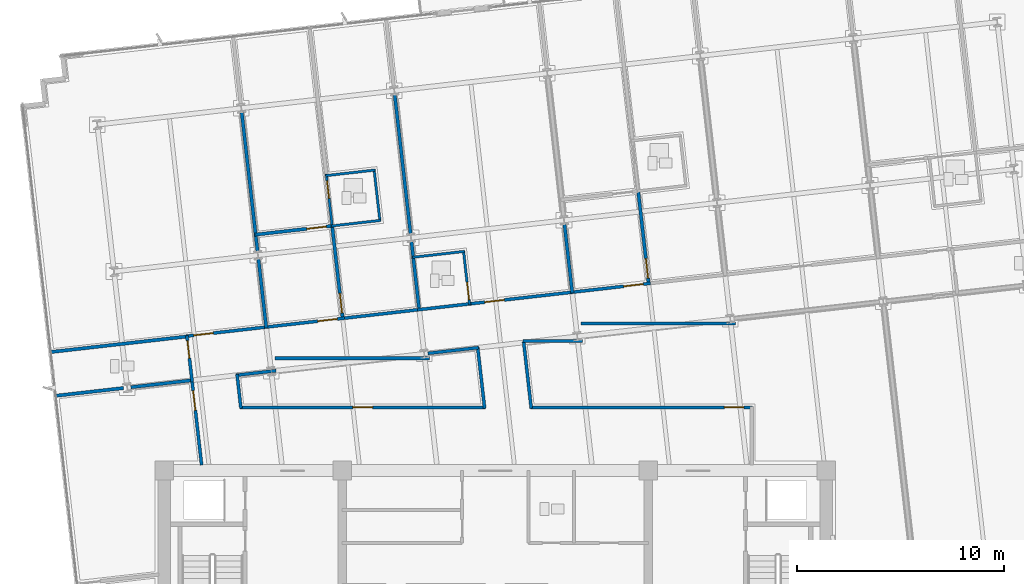
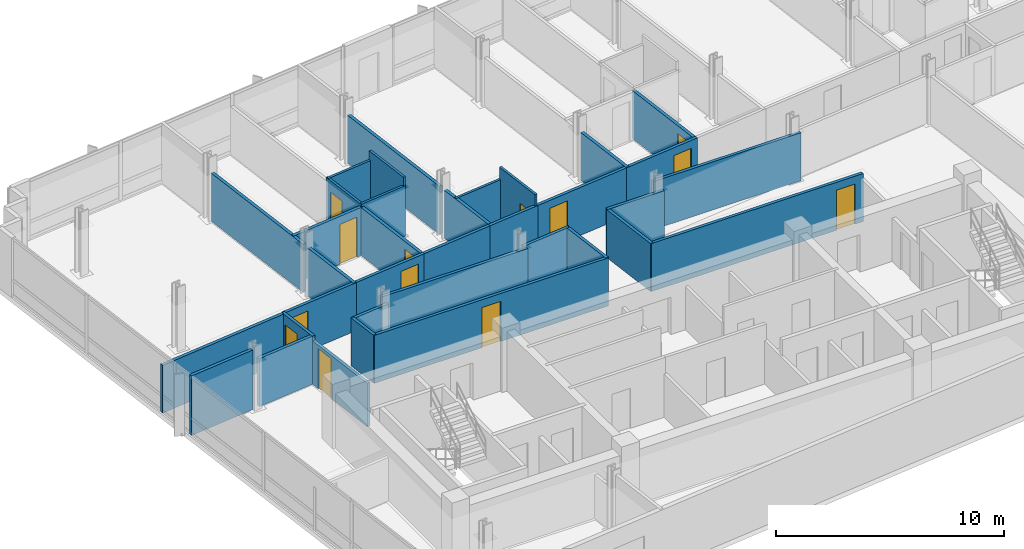
# One storey, part 9 of 16: 35 walls, 13 doors, 13 openings.
"""IFC4 building model written with IfcOpenShell, lengths in metres."""

from ifc_helpers import new_model, si_unit, direction, frame, frame_2d, origin, place, context, subcontext, project, spatial, rectangle, extrude, material, layer, layer_set, type_object, element, fill, save


model = new_model("IFC4")

# Units and contexts
model_context = context("Model", 3, precision=1e-05, world=origin(), true_north=direction((0.0, 1.0)))
body_context = subcontext(model_context, "Body", "Model", "MODEL_VIEW")
ifc_project = project(units=[si_unit("LENGTHUNIT", "METRE"), si_unit("AREAUNIT", "SQUARE_METRE"), si_unit("VOLUMEUNIT", "CUBIC_METRE"), si_unit("PLANEANGLEUNIT", "RADIAN"), si_unit("MASSUNIT", "GRAM", prefix="KILO")], contexts=[model_context])

# Site, building, storey
site_placement = place(None, origin())
site = spatial("IfcSite", under=ifc_project, at=site_placement, CompositionType="ELEMENT")
building_placement = place(site_placement, origin())
building = spatial("IfcBuilding", under=site, at=building_placement, Name="Solmavex Isthmus Hotel", CompositionType="ELEMENT")
storey_placement = place(building_placement, frame((0.0, 0.0, 212.39990234375)))
storey = spatial("IfcBuildingStorey", under=building, at=storey_placement, Name="L57", CompositionType="ELEMENT", Elevation=212.39990234375)

# Walls
ifc_material_1 = material(Name="Gypsum plasterboard lining", Category="gypsum")
ifc_layer_1 = layer(ifc_material_1, 0.159912109375)
ifc_layer_set_1 = layer_set([ifc_layer_1], Name="Gypsum plasterboard lining")
wall_type_1 = type_object("IfcWallType", Name="IW-COMP-160", PredefinedType="PARTITIONING", material=ifc_layer_set_1)
wall_1_placement = place(storey_placement, frame((-12.262939453125, 14.84326171875, 0.0), z_axis=(0.0, 0.0, 1.0), x_axis=(0.113177968069, -0.993574731736, 0.0)))
element("IfcWall", 1, at=wall_1_placement, inside=storey, type_object=wall_type_1, Name="Interior Partition Wall W-L57-P026", PredefinedType="PARTITIONING", context=body_context, shape_type="SweptSolid", body=[
    extrude(rectangle(XDim=6.79931640625, YDim=0.159912109375, at=frame_2d((3.399658203125, 0.0))), origin(), (0.0, 0.0, 1.0), 2.572509765625),
])
wall_2_placement = place(storey_placement, frame((-11.453369140625, 7.737060546875, 0.0), z_axis=(0.0, 0.0, 1.0), x_axis=(0.113229088195, -0.993568907317, 0.0)))
element("IfcWall", 2, at=wall_2_placement, inside=storey, type_object=wall_type_1, Name="Interior Partition Wall W-L57-P027", PredefinedType="PARTITIONING", context=body_context, shape_type="SweptSolid", body=[
    extrude(rectangle(XDim=3.361572265625, YDim=0.159912109375, at=frame_2d((1.6806640625, 0.0))), origin(), (0.0, 0.0, 1.0), 2.572509765625),
])
wall_3_placement = place(storey_placement, frame((-14.86865234375, 3.98486328125, 0.0), z_axis=(0.0, 0.0, 1.0), x_axis=(-0.993568743641, -0.113230524415, 0.0)))
element("IfcWall", 3, at=wall_3_placement, inside=storey, type_object=wall_type_1, Name="Interior Partition Wall W-L57-P029", PredefinedType="PARTITIONING", context=body_context, shape_type="SweptSolid", body=[
    extrude(rectangle(XDim=6.7099609375, YDim=0.159912109375, at=frame_2d((3.35498046875, 0.0))), origin(), (0.0, 0.0, 1.0), 2.5576171875),
])

# Wall, opening, door
wall_4_placement = place(storey_placement, frame((-11.626220703125, 8.9013671875, 0.0), z_axis=(0.0, 0.0, 1.0), x_axis=(0.993567388358, 0.113242416041, 0.0)))
wall_4 = element("IfcWall", 4, at=wall_4_placement, inside=storey, type_object=wall_type_1, Name="Interior Partition Wall W-L57-P030", PredefinedType="PARTITIONING", context=body_context, shape_type="SweptSolid", body=[
    extrude(rectangle(XDim=3.802978515625, YDim=0.159912109375, at=frame_2d((1.9013671875, 0.0))), origin(), (0.0, 0.0, 1.0), 2.572509765625),
])
opening_1_placement = place(wall_4_placement, frame((2.52099609375, 0.0, 0.0)))
opening_1 = element("IfcOpeningElement", 5, at=opening_1_placement, cuts=wall_4, Name="Opening ID-C095", PredefinedType="OPENING", context=body_context, shape_type="SweptSolid", body=[
    extrude(rectangle(XDim=0.949951171875, YDim=2.14990234375, at=frame_2d((0.47509765625, 1.074951171875))), frame((0.0, 0.08984375, 0.0), z_axis=(0.0, -1.0, 0.0), x_axis=(1.0, 0.0, 0.0)), (0.0, 0.0, 1.0), 0.179931640625),
])
ifc_material_2 = material(Name="Hardwood timber", Category="wood")
door_type_1 = type_object("IfcDoorType", Name="IDR-FD60-0950", OperationType="NOTDEFINED", PredefinedType="DOOR", material=ifc_material_2)
door_1_placement = place(opening_1_placement, origin())
door_1 = element("IfcDoor", 6, at=door_1_placement, inside=storey, type_object=door_type_1, Name="Premier Hospitality Suite Master Bedroom Door L57-03", OperationType="SINGLE_SWING_LEFT", OverallHeight=2.14990234375, OverallWidth=0.949951171875, PredefinedType="DOOR", context=body_context, shape_type="SweptSolid", body=[
    extrude(rectangle(XDim=0.949951171875, YDim=2.14990234375, at=frame_2d((0.47509765625, 1.074951171875))), frame((0.0, 0.02490234375, 0.0), z_axis=(0.0, -1.0, 0.0), x_axis=(1.0, 0.0, 0.0)), (0.0, 0.0, 1.0), 0.050048828125),
])
fill(opening_1, door_1)

wall_5_placement = place(storey_placement, frame((-7.89208984375, 9.3671875, 0.0), z_axis=(0.0, 0.0, 1.0), x_axis=(0.113217200695, -0.993570261968, 0.0)))
wall_5 = element("IfcWall", 7, at=wall_5_placement, inside=storey, type_object=wall_type_1, Name="Interior Partition Wall W-L57-P031", PredefinedType="PARTITIONING", context=body_context, shape_type="SweptSolid", body=[
    extrude(rectangle(XDim=4.578125, YDim=0.159912109375, at=frame_2d((2.2890625, 0.0))), origin(), (0.0, 0.0, 1.0), 2.572509765625),
])
opening_2_placement = place(wall_5_placement, frame((3.3251953125, 0.0, 0.0)))
opening_2 = element("IfcOpeningElement", 8, at=opening_2_placement, cuts=wall_5, Name="Opening ID-C095", PredefinedType="OPENING", context=body_context, shape_type="SweptSolid", body=[
    extrude(rectangle(XDim=0.949951171875, YDim=2.14990234375, at=frame_2d((0.47509765625, 1.074951171875))), frame((0.0, 0.08984375, 0.0), z_axis=(0.0, -1.0, 0.0), x_axis=(1.0, 0.0, 0.0)), (0.0, 0.0, 1.0), 0.179931640625),
])
door_2_placement = place(opening_2_placement, origin())
door_2 = element("IfcDoor", 9, at=door_2_placement, inside=storey, type_object=door_type_1, Name="Premier Hospitality Suite Living Lounge Door L57-04", OperationType="SINGLE_SWING_RIGHT", OverallHeight=2.14990234375, OverallWidth=0.949951171875, PredefinedType="DOOR", context=body_context, shape_type="SweptSolid", body=[
    extrude(rectangle(XDim=0.949951171875, YDim=2.14990234375, at=frame_2d((0.47509765625, 1.074951171875))), frame((0.0, 0.02490234375, 0.0), z_axis=(0.0, -1.0, 0.0), x_axis=(1.0, 0.0, 0.0)), (0.0, 0.0, 1.0), 0.050048828125),
])
fill(opening_2, door_2)

# Walls
wall_6_placement = place(storey_placement, frame((-4.864990234375, 15.68603515625, 0.0), z_axis=(0.0, 0.0, 1.0), x_axis=(0.11321341463, -0.993570693382, 0.0)))
element("IfcWall", 10, at=wall_6_placement, inside=storey, type_object=wall_type_1, Name="Interior Partition Wall W-L57-P038", PredefinedType="PARTITIONING", context=body_context, shape_type="SweptSolid", body=[
    extrude(rectangle(XDim=6.79931640625, YDim=0.159912109375, at=frame_2d((3.399658203125, 0.0))), origin(), (0.0, 0.0, 1.0), 2.572509765625),
])
for number, where, z_axis, x_axis, name in (
    (11, (-4.05517578125, 8.580078125, 0.0), (0.0, 0.0, 1.0), (0.113149223935, -0.993578005555, 0.0), "Interior Partition Wall W-L57-P039"),
    (12, (3.3427734375, 9.4228515625, 0.0), (0.0, 0.0, 1.0), (0.113229088195, -0.993568907317, 0.0), "Interior Partition Wall W-L57-P043"),
):
    element("IfcWall", number, at=place(storey_placement, frame(where, z_axis=z_axis, x_axis=x_axis)), inside=storey, type_object=wall_type_1, Name=name, PredefinedType="PARTITIONING", context=body_context, shape_type="SweptSolid", body=[
        extrude(rectangle(XDim=3.361572265625, YDim=0.159912109375, at=frame_2d((1.6806640625, 0.0))), origin(), (0.0, 0.0, 1.0), 2.572509765625),
    ])

# Wall, opening, door
wall_7_placement = place(storey_placement, frame((6.904296875, 11.052978515625, 0.0), z_axis=(0.0, 0.0, 1.0), x_axis=(0.113164554921, -0.993576259534, 0.0)))
wall_7 = element("IfcWall", 13, at=wall_7_placement, inside=storey, type_object=wall_type_1, Name="Interior Partition Wall W-L57-P046", PredefinedType="PARTITIONING", context=body_context, shape_type="SweptSolid", body=[
    extrude(rectangle(XDim=4.577880859375, YDim=0.159912109375, at=frame_2d((2.2890625, 0.0))), origin(), (0.0, 0.0, 1.0), 2.572509765625),
])
opening_3_placement = place(wall_7_placement, frame((3.3251953125, 0.0, 0.0)))
opening_3 = element("IfcOpeningElement", 14, at=opening_3_placement, cuts=wall_7, Name="Opening ID-C095", PredefinedType="OPENING", context=body_context, shape_type="SweptSolid", body=[
    extrude(rectangle(XDim=0.949951171875, YDim=2.14990234375, at=frame_2d((0.47509765625, 1.074951171875))), frame((0.0, 0.08984375, 0.0), z_axis=(0.0, -1.0, 0.0), x_axis=(1.0, 0.0, 0.0)), (0.0, 0.0, 1.0), 0.179931640625),
])
door_3_placement = place(opening_3_placement, origin())
door_3 = element("IfcDoor", 15, at=door_3_placement, inside=storey, type_object=door_type_1, Name="Diplomatic Suite Living Lounge Door L57-10", OperationType="SINGLE_SWING_RIGHT", OverallHeight=2.14990234375, OverallWidth=0.949951171875, PredefinedType="DOOR", context=body_context, shape_type="SweptSolid", body=[
    extrude(rectangle(XDim=0.949951171875, YDim=2.14990234375, at=frame_2d((0.47509765625, 1.074951171875))), frame((0.0, 0.02490234375, 0.0), z_axis=(0.0, -1.0, 0.0), x_axis=(1.0, 0.0, 0.0)), (0.0, 0.0, 1.0), 0.050048828125),
])
fill(opening_3, door_3)

# Walls
wall_8_placement = place(storey_placement, frame((-17.97216796875, 1.4873046875, 0.0), z_axis=(0.0, 0.0, 1.0), x_axis=(-0.993575433752, -0.113171804991, 0.0)))
element("IfcWall", 16, at=wall_8_placement, inside=storey, type_object=wall_type_1, Name="Interior Partition Wall W-L57-P066", PredefinedType="PARTITIONING", context=body_context, shape_type="SweptSolid", body=[
    extrude(rectangle(XDim=3.34375, YDim=0.159912109375, at=frame_2d((1.671875, 0.0))), origin(), (0.0, 0.0, 1.0), 3.190185546875),
])
wall_9_placement = place(storey_placement, frame((-14.62744140625, 1.868408203125, 0.0), z_axis=(0.0, 0.0, 1.0), x_axis=(-0.993574646464, -0.113178716659, 0.0)))
element("IfcWall", 17, at=wall_9_placement, inside=storey, type_object=wall_type_1, Name="Interior Partition Wall W-L57-P067", PredefinedType="PARTITIONING", context=body_context, shape_type="SweptSolid", body=[
    extrude(rectangle(XDim=3.013427734375, YDim=0.159912109375, at=frame_2d((1.5068359375, 0.0))), origin(), (0.0, 0.0, 1.0), 2.572509765625),
])

# Wall, opening, door
ifc_layer_2 = layer(ifc_material_1, 0.14990234375)
ifc_layer_set_2 = layer_set([ifc_layer_2], Name="Gypsum plasterboard lining")
wall_type_2 = type_object("IfcWallType", Name="IW-CORR-150", PredefinedType="PARTITIONING", material=ifc_layer_set_2)
wall_10_placement = place(storey_placement, frame((-14.950439453125, 3.99560546875, 0.0), z_axis=(0.0, 0.0, 1.0), x_axis=(0.993575504711, 0.11317118201, 0.0)))
wall_10 = element("IfcWall", 18, at=wall_10_placement, inside=storey, type_object=wall_type_2, Name="Interior Partition Wall W-L57-P001", PredefinedType="PARTITIONING", context=body_context, shape_type="SweptSolid", body=[
    extrude(rectangle(XDim=3.980224609375, YDim=0.14990234375, at=frame_2d((1.990234375, 0.0))), origin(), (0.0, 0.0, 1.0), 2.572509765625),
])
opening_4_placement = place(wall_10_placement, frame((0.368408203125, 0.0, 0.0)))
opening_4 = element("IfcOpeningElement", 19, at=opening_4_placement, cuts=wall_10, Name="Opening ID-C095", PredefinedType="OPENING", context=body_context, shape_type="SweptSolid", body=[
    extrude(rectangle(XDim=0.949951171875, YDim=2.14990234375, at=frame_2d((0.47509765625, 1.074951171875))), frame((0.0, 0.0849609375, 0.0), z_axis=(0.0, -1.0, 0.0), x_axis=(1.0, 0.0, 0.0)), (0.0, 0.0, 1.0), 0.169921875),
])
door_4_placement = place(opening_4_placement, origin())
door_4 = element("IfcDoor", 20, at=door_4_placement, inside=storey, type_object=door_type_1, Name="Executive Hospitality Lounge Door L57-01", OperationType="SINGLE_SWING_LEFT", OverallHeight=2.14990234375, OverallWidth=0.949951171875, PredefinedType="DOOR", context=body_context, shape_type="SweptSolid", body=[
    extrude(rectangle(XDim=0.949951171875, YDim=2.14990234375, at=frame_2d((0.47509765625, 1.074951171875))), frame((0.0, 0.02490234375, 0.0), z_axis=(0.0, -1.0, 0.0), x_axis=(1.0, 0.0, 0.0)), (0.0, 0.0, 1.0), 0.050048828125),
])
fill(opening_4, door_4)

wall_11_placement = place(storey_placement, frame((-11.158935546875, 4.427490234375, 0.0), z_axis=(0.0, 0.0, 1.0), x_axis=(0.993567244528, 0.113243677975, 0.0)))
wall_11 = element("IfcWall", 21, at=wall_11_placement, inside=storey, type_object=wall_type_2, Name="Interior Partition Wall W-L57-P002", PredefinedType="PARTITIONING", context=body_context, shape_type="SweptSolid", body=[
    extrude(rectangle(XDim=3.886962890625, YDim=0.14990234375, at=frame_2d((1.943359375, 0.0))), origin(), (0.0, 0.0, 1.0), 2.572509765625),
])
opening_5_placement = place(wall_11_placement, frame((2.587890625, 0.0, 0.0)))
opening_5 = element("IfcOpeningElement", 22, at=opening_5_placement, cuts=wall_11, Name="Opening ID-C095", PredefinedType="OPENING", context=body_context, shape_type="SweptSolid", body=[
    extrude(rectangle(XDim=0.949951171875, YDim=2.14990234375, at=frame_2d((0.47509765625, 1.074951171875))), frame((0.0, 0.0849609375, 0.0), z_axis=(0.0, -1.0, 0.0), x_axis=(1.0, 0.0, 0.0)), (0.0, 0.0, 1.0), 0.169921875),
])
door_5_placement = place(opening_5_placement, origin())
door_5 = element("IfcDoor", 23, at=door_5_placement, inside=storey, type_object=door_type_1, Name="Premier Hospitality Suite Entrance Hall Door L57-02", OperationType="SINGLE_SWING_RIGHT", OverallHeight=2.14990234375, OverallWidth=0.949951171875, PredefinedType="DOOR", context=body_context, shape_type="SweptSolid", body=[
    extrude(rectangle(XDim=0.949951171875, YDim=2.14990234375, at=frame_2d((0.47509765625, 1.074951171875))), frame((0.0, 0.02490234375, 0.0), z_axis=(0.0, -1.0, 0.0), x_axis=(1.0, 0.0, 0.0)), (0.0, 0.0, 1.0), 0.050048828125),
])
fill(opening_5, door_5)

# Wall
wall_12_placement = place(storey_placement, frame((-7.459716796875, 4.84912109375, 0.0), z_axis=(0.0, 0.0, 1.0), x_axis=(0.993573504889, 0.113188737881, 0.0)))
element("IfcWall", 24, at=wall_12_placement, inside=storey, type_object=wall_type_2, Name="Interior Partition Wall W-L57-P003", PredefinedType="PARTITIONING", context=body_context, shape_type="SweptSolid", body=[
    extrude(rectangle(XDim=3.88671875, YDim=0.14990234375, at=frame_2d((1.943359375, 0.0))), origin(), (0.0, 0.0, 1.0), 2.572509765625),
])

# Wall, opening, door
wall_13_placement = place(storey_placement, frame((-1.326416015625, 5.5478515625, 0.0), z_axis=(0.0, 0.0, 1.0), x_axis=(0.993569374626, 0.113224987546, 0.0)))
wall_13 = element("IfcWall", 25, at=wall_13_placement, inside=storey, type_object=wall_type_2, Name="Interior Partition Wall W-L57-P004", PredefinedType="PARTITIONING", context=body_context, shape_type="SweptSolid", body=[
    extrude(rectangle(XDim=5.159912109375, YDim=0.14990234375, at=frame_2d((2.580078125, 0.0))), origin(), (0.0, 0.0, 1.0), 2.572509765625),
])
opening_6_placement = place(wall_13_placement, frame((0.82470703125, 0.0, 0.0)))
opening_6 = element("IfcOpeningElement", 26, at=opening_6_placement, cuts=wall_13, Name="Opening ID-C095", PredefinedType="OPENING", context=body_context, shape_type="SweptSolid", body=[
    extrude(rectangle(XDim=0.949951171875, YDim=2.14990234375, at=frame_2d((0.47509765625, 1.074951171875))), frame((0.0, 0.0849609375, 0.0), z_axis=(0.0, -1.0, 0.0), x_axis=(1.0, 0.0, 0.0)), (0.0, 0.0, 1.0), 0.169921875),
])
door_6_placement = place(opening_6_placement, origin())
door_6 = element("IfcDoor", 27, at=door_6_placement, inside=storey, type_object=door_type_1, Name="Junior Suite Door L57-06", OperationType="SINGLE_SWING_RIGHT", OverallHeight=2.14990234375, OverallWidth=0.949951171875, PredefinedType="DOOR", context=body_context, shape_type="SweptSolid", body=[
    extrude(rectangle(XDim=0.949951171875, YDim=2.14990234375, at=frame_2d((0.47509765625, 1.074951171875))), frame((0.0, 0.02490234375, 0.0), z_axis=(0.0, -1.0, 0.0), x_axis=(1.0, 0.0, 0.0)), (0.0, 0.0, 1.0), 0.050048828125),
])
fill(opening_6, door_6)

# Wall
wall_14_placement = place(storey_placement, frame((-3.7607421875, 5.2705078125, 0.0), z_axis=(0.0, 0.0, 1.0), x_axis=(0.993572349416, 0.113198880193, 0.0)))
element("IfcWall", 28, at=wall_14_placement, inside=storey, type_object=wall_type_2, Name="Interior Partition Wall W-L57-P005", PredefinedType="PARTITIONING", context=body_context, shape_type="SweptSolid", body=[
    extrude(rectangle(XDim=2.614013671875, YDim=0.14990234375, at=frame_2d((1.30712890625, 0.0))), origin(), (0.0, 0.0, 1.0), 2.572509765625),
])

# Wall, opening, door
wall_15_placement = place(storey_placement, frame((3.637451171875, 6.11328125, 0.0), z_axis=(0.0, 0.0, 1.0), x_axis=(0.993567244528, 0.113243677975, 0.0)))
wall_15 = element("IfcWall", 29, at=wall_15_placement, inside=storey, type_object=wall_type_2, Name="Interior Partition Wall W-L57-P006", PredefinedType="PARTITIONING", context=body_context, shape_type="SweptSolid", body=[
    extrude(rectangle(XDim=3.886962890625, YDim=0.14990234375, at=frame_2d((1.943359375, 0.0))), origin(), (0.0, 0.0, 1.0), 2.572509765625),
])
opening_7_placement = place(wall_15_placement, frame((2.587890625, 0.0, 0.0)))
opening_7 = element("IfcOpeningElement", 30, at=opening_7_placement, cuts=wall_15, Name="Opening ID-C095", PredefinedType="OPENING", context=body_context, shape_type="SweptSolid", body=[
    extrude(rectangle(XDim=0.949951171875, YDim=2.14990234375, at=frame_2d((0.47509765625, 1.074951171875))), frame((0.0, 0.0849609375, 0.0), z_axis=(0.0, -1.0, 0.0), x_axis=(1.0, 0.0, 0.0)), (0.0, 0.0, 1.0), 0.169921875),
])
door_7_placement = place(opening_7_placement, origin())
door_7 = element("IfcDoor", 31, at=door_7_placement, inside=storey, type_object=door_type_1, Name="Diplomatic Suite Entrance Hall Door L57-08", OperationType="SINGLE_SWING_RIGHT", OverallHeight=2.14990234375, OverallWidth=0.949951171875, PredefinedType="DOOR", context=body_context, shape_type="SweptSolid", body=[
    extrude(rectangle(XDim=0.949951171875, YDim=2.14990234375, at=frame_2d((0.47509765625, 1.074951171875))), frame((0.0, 0.02490234375, 0.0), z_axis=(0.0, -1.0, 0.0), x_axis=(1.0, 0.0, 0.0)), (0.0, 0.0, 1.0), 0.050048828125),
])
fill(opening_7, door_7)

wall_16_placement = place(storey_placement, frame((-14.657958984375, 1.782470703125, 0.0), z_axis=(0.0, 0.0, 1.0), x_axis=(-0.113179685294, 0.993574536125, 0.0)))
wall_16 = element("IfcWall", 32, at=wall_16_placement, inside=storey, type_object=wall_type_2, Name="Interior Partition Wall W-L57-P010", PredefinedType="PARTITIONING", context=body_context, shape_type="SweptSolid", body=[
    extrude(rectangle(XDim=2.251953125, YDim=0.14990234375, at=frame_2d((1.1259765625, 0.0))), origin(), (0.0, 0.0, 1.0), 2.572509765625),
])
opening_8_placement = place(wall_16_placement, frame((1.156982421875, 0.0, 0.0)))
opening_8 = element("IfcOpeningElement", 33, at=opening_8_placement, cuts=wall_16, Name="Opening ID-R085", PredefinedType="OPENING", context=body_context, shape_type="SweptSolid", body=[
    extrude(rectangle(XDim=0.85009765625, YDim=2.050048828125, at=frame_2d((0.425048828125, 1.02490234375))), frame((0.0, 0.0849609375, 0.0), z_axis=(0.0, -1.0, 0.0), x_axis=(1.0, 0.0, 0.0)), (0.0, 0.0, 1.0), 0.169921875),
])
ifc_material_3 = material(Name="Steel ASTM A500 Grade C", Category="steel")
door_type_2 = type_object("IfcDoorType", Name="IDR-FD60-0850", OperationType="NOTDEFINED", PredefinedType="DOOR", material=ifc_material_3)
door_8_placement = place(opening_8_placement, frame((0.85009765625, 0.0, 0.0), z_axis=(0.0, 0.0, 1.0), x_axis=(-1.0, 0.0, 0.0)))
door_8 = element("IfcDoor", 34, at=door_8_placement, inside=storey, type_object=door_type_2, Name="Accessible Public Restroom WC Door L57-17", OperationType="SINGLE_SWING_LEFT", OverallHeight=2.050048828125, OverallWidth=0.85009765625, PredefinedType="DOOR", context=body_context, shape_type="SweptSolid", body=[
    extrude(rectangle(XDim=0.85009765625, YDim=2.050048828125, at=frame_2d((0.425048828125, 1.02490234375))), frame((0.0, 0.02490234375, 0.0), z_axis=(0.0, -1.0, 0.0), x_axis=(1.0, 0.0, 0.0)), (0.0, 0.0, 1.0), 0.050048828125),
])
fill(opening_8, door_8)

# Walls
wall_17_placement = place(storey_placement, frame((-10.6064453125, 2.32666015625, 0.0), z_axis=(0.0, 0.0, 1.0), x_axis=(-0.993564486687, -0.113267871856, 0.0)))
element("IfcWall", 35, at=wall_17_placement, inside=storey, type_object=wall_type_2, Name="Interior Partition Wall W-L57-P012", PredefinedType="PARTITIONING", context=body_context, shape_type="SweptSolid", body=[
    extrude(rectangle(XDim=1.927001953125, YDim=0.14990234375, at=frame_2d((0.96337890625, 0.0))), origin(), (0.0, 0.0, 1.0), 2.572509765625),
])
wall_18_placement = place(storey_placement, frame((-12.48583984375, 2.15283203125, 0.0), z_axis=(0.0, 0.0, 1.0), x_axis=(0.113121752139, -0.993581133674, 0.0)))
element("IfcWall", 36, at=wall_18_placement, inside=storey, type_object=wall_type_2, Name="Interior Partition Wall W-L57-P013", PredefinedType="PARTITIONING", context=body_context, shape_type="SweptSolid", body=[
    extrude(rectangle(XDim=1.653076171875, YDim=0.14990234375, at=frame_2d((0.82666015625, 0.0))), origin(), (0.0, 0.0, 1.0), 2.572509765625),
])

# Wall, opening, door
wall_19_placement = place(storey_placement, frame((-12.34326171875, 0.550048828125, 0.0), z_axis=(0.0, 0.0, 1.0), x_axis=(1.0, 0.0, 0.0)))
wall_19 = element("IfcWall", 37, at=wall_19_placement, inside=storey, type_object=wall_type_2, Name="Interior Partition Wall W-L57-P014", PredefinedType="PARTITIONING", context=body_context, shape_type="SweptSolid", body=[
    extrude(rectangle(XDim=11.86279296875, YDim=0.14990234375, at=frame_2d((5.931396484375, 0.0))), origin(), (0.0, 0.0, 1.0), 2.572509765625),
])
opening_9_placement = place(wall_19_placement, frame((5.456298828125, 0.0, 0.0)))
opening_9 = element("IfcOpeningElement", 38, at=opening_9_placement, cuts=wall_19, Name="Opening ID-C095", PredefinedType="OPENING", context=body_context, shape_type="SweptSolid", body=[
    extrude(rectangle(XDim=0.949951171875, YDim=2.14990234375, at=frame_2d((0.47509765625, 1.074951171875))), frame((0.0, 0.0849609375, 0.0), z_axis=(0.0, -1.0, 0.0), x_axis=(1.0, 0.0, 0.0)), (0.0, 0.0, 1.0), 0.169921875),
])
door_9_placement = place(opening_9_placement, origin())
door_9 = element("IfcDoor", 39, at=door_9_placement, inside=storey, type_object=door_type_1, Name="Service Kitchenette Door L57-19", OperationType="SINGLE_SWING_LEFT", OverallHeight=2.14990234375, OverallWidth=0.949951171875, PredefinedType="DOOR", context=body_context, shape_type="SweptSolid", body=[
    extrude(rectangle(XDim=0.949951171875, YDim=2.14990234375, at=frame_2d((0.47509765625, 1.074951171875))), frame((0.0, 0.02490234375, 0.0), z_axis=(0.0, -1.0, 0.0), x_axis=(1.0, 0.0, 0.0)), (0.0, 0.0, 1.0), 0.050048828125),
])
fill(opening_9, door_9)

# Walls
wall_20_placement = place(storey_placement, frame((-0.515869140625, 0.51025390625, 0.0), z_axis=(0.0, 0.0, 1.0), x_axis=(-0.113283799092, 0.993562670828, 0.0)))
element("IfcWall", 40, at=wall_20_placement, inside=storey, type_object=wall_type_2, Name="Interior Partition Wall W-L57-P015", PredefinedType="PARTITIONING", context=body_context, shape_type="SweptSolid", body=[
    extrude(rectangle(XDim=2.987060546875, YDim=0.14990234375, at=frame_2d((1.49365234375, 0.0))), origin(), (0.0, 0.0, 1.0), 2.572509765625),
])
wall_21_placement = place(storey_placement, frame((-0.809814453125, 3.44287109375, 0.0), z_axis=(0.0, 0.0, 1.0), x_axis=(-0.993568355418, -0.113233930922, 0.0)))
element("IfcWall", 41, at=wall_21_placement, inside=storey, type_object=wall_type_2, Name="Interior Partition Wall W-L57-P016", PredefinedType="PARTITIONING", context=body_context, shape_type="SweptSolid", body=[
    extrude(rectangle(XDim=2.466552734375, YDim=0.14990234375, at=frame_2d((1.2333984375, 0.0))), origin(), (0.0, 0.0, 1.0), 2.572509765625),
])
wall_22_placement = place(storey_placement, frame((-3.180908203125, 2.9287109375, 0.0), z_axis=(0.0, 0.0, 1.0), x_axis=(-1.0, 0.0, 0.0)))
element("IfcWall", 42, at=wall_22_placement, inside=storey, type_object=wall_type_2, Name="Interior Partition Wall W-L57-P017", PredefinedType="PARTITIONING", context=body_context, shape_type="SweptSolid", body=[
    extrude(rectangle(XDim=7.477783203125, YDim=0.14990234375, at=frame_2d((3.73876953125, 0.0))), origin(), (0.0, 0.0, 1.0), 2.572509765625),
])

# Wall, opening, door
wall_23_placement = place(storey_placement, frame((-14.19970703125, -2.23974609375, 0.0), z_axis=(0.0, 0.0, 1.0), x_axis=(-0.11319839611, 0.993572404568, 0.0)))
wall_23 = element("IfcWall", 43, at=wall_23_placement, inside=storey, type_object=wall_type_2, Name="Interior Partition Wall W-L57-P018", PredefinedType="PARTITIONING", context=body_context, shape_type="SweptSolid", body=[
    extrude(rectangle(XDim=4.212158203125, YDim=0.14990234375, at=frame_2d((2.10595703125, 0.0))), origin(), (0.0, 0.0, 1.0), 2.3251953125),
])
opening_10_placement = place(wall_23_placement, frame((2.67236328125, 0.0, 0.0)))
opening_10 = element("IfcOpeningElement", 44, at=opening_10_placement, cuts=wall_23, Name="Opening ID-C095", PredefinedType="OPENING", context=body_context, shape_type="SweptSolid", body=[
    extrude(rectangle(XDim=0.949951171875, YDim=2.14990234375, at=frame_2d((0.47509765625, 1.074951171875))), frame((0.0, 0.0849609375, 0.0), z_axis=(0.0, -1.0, 0.0), x_axis=(1.0, 0.0, 0.0)), (0.0, 0.0, 1.0), 0.169921875),
])
door_10_placement = place(opening_10_placement, frame((0.949951171875, 0.0, 0.0), z_axis=(0.0, 0.0, 1.0), x_axis=(-1.0, 0.0, 0.0)))
door_10 = element("IfcDoor", 45, at=door_10_placement, inside=storey, type_object=door_type_1, Name="Protocol Boardroom Door L57-20", OperationType="SINGLE_SWING_RIGHT", OverallHeight=2.14990234375, OverallWidth=0.949951171875, PredefinedType="DOOR", context=body_context, shape_type="SweptSolid", body=[
    extrude(rectangle(XDim=0.949951171875, YDim=2.14990234375, at=frame_2d((0.47509765625, 1.074951171875))), frame((0.0, 0.02490234375, 0.0), z_axis=(0.0, -1.0, 0.0), x_axis=(1.0, 0.0, 0.0)), (0.0, 0.0, 1.0), 0.050048828125),
])
fill(opening_10, door_10)

# Walls
wall_24_placement = place(storey_placement, frame((11.615478515625, 4.614501953125, 0.0), z_axis=(0.0, 0.0, 1.0), x_axis=(-1.0, 0.0, 0.0)))
element("IfcWall", 46, at=wall_24_placement, inside=storey, type_object=wall_type_2, Name="Interior Partition Wall W-L57-P020", PredefinedType="PARTITIONING", context=body_context, shape_type="SweptSolid", body=[
    extrude(rectangle(XDim=7.47802734375, YDim=0.14990234375, at=frame_2d((3.739013671875, 0.0))), origin(), (0.0, 0.0, 1.0), 2.572509765625),
])
wall_25_placement = place(storey_placement, frame((4.21728515625, 3.771484375, 0.0), z_axis=(0.0, 0.0, 1.0), x_axis=(-1.0, 0.0, 0.0)))
element("IfcWall", 47, at=wall_25_placement, inside=storey, type_object=wall_type_2, Name="Interior Partition Wall W-L57-P021", PredefinedType="PARTITIONING", context=body_context, shape_type="SweptSolid", body=[
    extrude(rectangle(XDim=2.881103515625, YDim=0.14990234375, at=frame_2d((1.4404296875, 0.0))), origin(), (0.0, 0.0, 1.0), 2.572509765625),
])
wall_26_placement = place(storey_placement, frame((1.37158203125, 3.731689453125, 0.0), z_axis=(0.0, 0.0, 1.0), x_axis=(0.113174940517, -0.993575076599, 0.0)))
element("IfcWall", 48, at=wall_26_placement, inside=storey, type_object=wall_type_2, Name="Interior Partition Wall W-L57-P022", PredefinedType="PARTITIONING", context=body_context, shape_type="SweptSolid", body=[
    extrude(rectangle(XDim=3.2421875, YDim=0.14990234375, at=frame_2d((1.62109375, 0.0))), origin(), (0.0, 0.0, 1.0), 2.572509765625),
])

# Wall, opening, door
wall_27_placement = place(storey_placement, frame((1.694091796875, 0.550048828125, 0.0), z_axis=(0.0, 0.0, 1.0), x_axis=(1.0, 0.0, 0.0)))
wall_27 = element("IfcWall", 49, at=wall_27_placement, inside=storey, type_object=wall_type_2, Name="Interior Partition Wall W-L57-P023", PredefinedType="PARTITIONING", context=body_context, shape_type="SweptSolid", body=[
    extrude(rectangle(XDim=10.745849609375, YDim=0.14990234375, at=frame_2d((5.373046875, 0.0))), origin(), (0.0, 0.0, 1.0), 2.572509765625),
])
opening_11_placement = place(wall_27_placement, frame((9.377685546875, 0.0, 0.0)))
opening_11 = element("IfcOpeningElement", 50, at=opening_11_placement, cuts=wall_27, Name="Opening ID-C095", PredefinedType="OPENING", context=body_context, shape_type="SweptSolid", body=[
    extrude(rectangle(XDim=0.949951171875, YDim=2.14990234375, at=frame_2d((0.47509765625, 1.074951171875))), frame((0.0, 0.0849609375, 0.0), z_axis=(0.0, -1.0, 0.0), x_axis=(1.0, 0.0, 0.0)), (0.0, 0.0, 1.0), 0.169921875),
])
door_11_placement = place(opening_11_placement, frame((0.949951171875, 0.0, 0.0), z_axis=(0.0, 0.0, 1.0), x_axis=(-1.0, 0.0, 0.0)))
door_11 = element("IfcDoor", 51, at=door_11_placement, inside=storey, type_object=door_type_1, Name="Catering Servery Kitchen Door L57-23", OperationType="SINGLE_SWING_LEFT", OverallHeight=2.14990234375, OverallWidth=0.949951171875, PredefinedType="DOOR", context=body_context, shape_type="SweptSolid", body=[
    extrude(rectangle(XDim=0.949951171875, YDim=2.14990234375, at=frame_2d((0.47509765625, 1.074951171875))), frame((0.0, 0.02490234375, 0.0), z_axis=(0.0, -1.0, 0.0), x_axis=(1.0, 0.0, 0.0)), (0.0, 0.0, 1.0), 0.050048828125),
])
fill(opening_11, door_11)

ifc_layer_3 = layer(ifc_material_1, 0.1201171875)
ifc_layer_set_3 = layer_set([ifc_layer_3], Name="Gypsum plasterboard lining")
wall_type_3 = type_object("IfcWallType", Name="IW-PART-120", PredefinedType="PARTITIONING", material=ifc_layer_set_3)
wall_28_placement = place(storey_placement, frame((-8.174072265625, 11.843017578125, 0.0), z_axis=(0.0, 0.0, 1.0), x_axis=(0.11315036097, -0.993577876068, 0.0)))
wall_28 = element("IfcWall", 52, at=wall_28_placement, inside=storey, type_object=wall_type_3, Name="Interior Partition Wall W-L57-P033", PredefinedType="PARTITIONING", context=body_context, shape_type="SweptSolid", body=[
    extrude(rectangle(XDim=2.572021484375, YDim=0.1201171875, at=frame_2d((1.2861328125, 0.0))), origin(), (0.0, 0.0, 1.0), 2.71826171875),
])
opening_12_placement = place(wall_28_placement, frame((0.337646484375, 0.0, 0.0)))
opening_12 = element("IfcOpeningElement", 53, at=opening_12_placement, cuts=wall_28, Name="Opening ID-U085", PredefinedType="OPENING", context=body_context, shape_type="SweptSolid", body=[
    extrude(rectangle(XDim=0.85009765625, YDim=2.10009765625, at=frame_2d((0.425048828125, 1.050048828125))), frame((0.0, 0.070068359375, 0.0), z_axis=(0.0, -1.0, 0.0), x_axis=(1.0, 0.0, 0.0)), (0.0, 0.0, 1.0), 0.14013671875),
])
door_type_3 = type_object("IfcDoorType", Name="IDR-UNR-0850", OperationType="NOTDEFINED", PredefinedType="DOOR", material=ifc_material_2)
door_12_placement = place(opening_12_placement, origin())
door_12 = element("IfcDoor", 54, at=door_12_placement, inside=storey, type_object=door_type_3, Name="En-suite Bathroom Door L57-05", OperationType="SINGLE_SWING_LEFT", OverallHeight=2.10009765625, OverallWidth=0.85009765625, PredefinedType="DOOR", context=body_context, shape_type="SweptSolid", body=[
    extrude(rectangle(XDim=0.85009765625, YDim=2.10009765625, at=frame_2d((0.425048828125, 1.050048828125))), frame((0.0, 0.02490234375, 0.0), z_axis=(0.0, -1.0, 0.0), x_axis=(1.0, 0.0, 0.0)), (0.0, 0.0, 1.0), 0.050048828125),
])
fill(opening_12, door_12)

# Walls
wall_29_placement = place(storey_placement, frame((-7.92724609375, 9.32275390625, 0.0), z_axis=(0.0, 0.0, 1.0), x_axis=(0.993562439402, 0.11328582881, 0.0)))
element("IfcWall", 55, at=wall_29_placement, inside=storey, type_object=wall_type_3, Name="Interior Partition Wall W-L57-P034", PredefinedType="PARTITIONING", context=body_context, shape_type="SweptSolid", body=[
    extrude(rectangle(XDim=2.40283203125, YDim=0.1201171875, at=frame_2d((1.201416015625, 0.0))), origin(), (0.0, 0.0, 1.0), 2.71826171875),
])
wall_30_placement = place(storey_placement, frame((-5.574951171875, 9.550537109375, 0.0), z_axis=(0.0, 0.0, 1.0), x_axis=(-0.113184642947, 0.993573971379, 0.0)))
element("IfcWall", 56, at=wall_30_placement, inside=storey, type_object=wall_type_3, Name="Interior Partition Wall W-L57-P035", PredefinedType="PARTITIONING", context=body_context, shape_type="SweptSolid", body=[
    extrude(rectangle(XDim=2.5302734375, YDim=0.1201171875, at=frame_2d((1.26513671875, 0.0))), origin(), (0.0, 0.0, 1.0), 3.190185546875),
])
wall_31_placement = place(storey_placement, frame((-5.817138671875, 12.029052734375, 0.0), z_axis=(0.0, 0.0, 1.0), x_axis=(-0.993573870401, -0.113185529362, 0.0)))
element("IfcWall", 57, at=wall_31_placement, inside=storey, type_object=wall_type_3, Name="Interior Partition Wall W-L57-P036", PredefinedType="PARTITIONING", context=body_context, shape_type="SweptSolid", body=[
    extrude(rectangle(XDim=2.40283203125, YDim=0.1201171875, at=frame_2d((1.201416015625, 0.0))), origin(), (0.0, 0.0, 1.0), 2.71826171875),
])

# Wall, opening, door
wall_32_placement = place(storey_placement, frame((-1.240478515625, 5.517333984375, 0.0), z_axis=(0.0, 0.0, 1.0), x_axis=(-0.113161716754, 0.993576582786, 0.0)))
wall_32 = element("IfcWall", 58, at=wall_32_placement, inside=storey, type_object=wall_type_3, Name="Interior Partition Wall W-L57-P040", PredefinedType="PARTITIONING", context=body_context, shape_type="SweptSolid", body=[
    extrude(rectangle(XDim=2.6298828125, YDim=0.1201171875, at=frame_2d((1.31494140625, 0.0))), origin(), (0.0, 0.0, 1.0), 3.190185546875),
])
opening_13_placement = place(wall_32_placement, frame((0.247314453125, 0.0, 0.0)))
opening_13 = element("IfcOpeningElement", 59, at=opening_13_placement, cuts=wall_32, Name="Opening ID-U085", PredefinedType="OPENING", context=body_context, shape_type="SweptSolid", body=[
    extrude(rectangle(XDim=0.85009765625, YDim=2.10009765625, at=frame_2d((0.425048828125, 1.050048828125))), frame((0.0, 0.070068359375, 0.0), z_axis=(0.0, -1.0, 0.0), x_axis=(1.0, 0.0, 0.0)), (0.0, 0.0, 1.0), 0.14013671875),
])
door_13_placement = place(opening_13_placement, frame((0.85009765625, 0.0, 0.0), z_axis=(0.0, 0.0, 1.0), x_axis=(-1.0, 0.0, 0.0)))
door_13 = element("IfcDoor", 60, at=door_13_placement, inside=storey, type_object=door_type_3, Name="En-suite Bathroom Door L57-07", OperationType="SINGLE_SWING_LEFT", OverallHeight=2.10009765625, OverallWidth=0.85009765625, PredefinedType="DOOR", context=body_context, shape_type="SweptSolid", body=[
    extrude(rectangle(XDim=0.85009765625, YDim=2.10009765625, at=frame_2d((0.425048828125, 1.050048828125))), frame((0.0, 0.02490234375, 0.0), z_axis=(0.0, -1.0, 0.0), x_axis=(1.0, 0.0, 0.0)), (0.0, 0.0, 1.0), 0.050048828125),
])
fill(opening_13, door_13)

# Wall
wall_33_placement = place(storey_placement, frame((-1.493896484375, 8.09521484375, 0.0), z_axis=(0.0, 0.0, 1.0), x_axis=(-0.99357273507, -0.113195495167, 0.0)))
element("IfcWall", 61, at=wall_33_placement, inside=storey, type_object=wall_type_3, Name="Interior Partition Wall W-L57-P041", PredefinedType="PARTITIONING", context=body_context, shape_type="SweptSolid", body=[
    extrude(rectangle(XDim=2.530029296875, YDim=0.1201171875, at=frame_2d((1.26513671875, 0.0))), origin(), (0.0, 0.0, 1.0), 2.572509765625),
])

save(model, "model.ifc")
